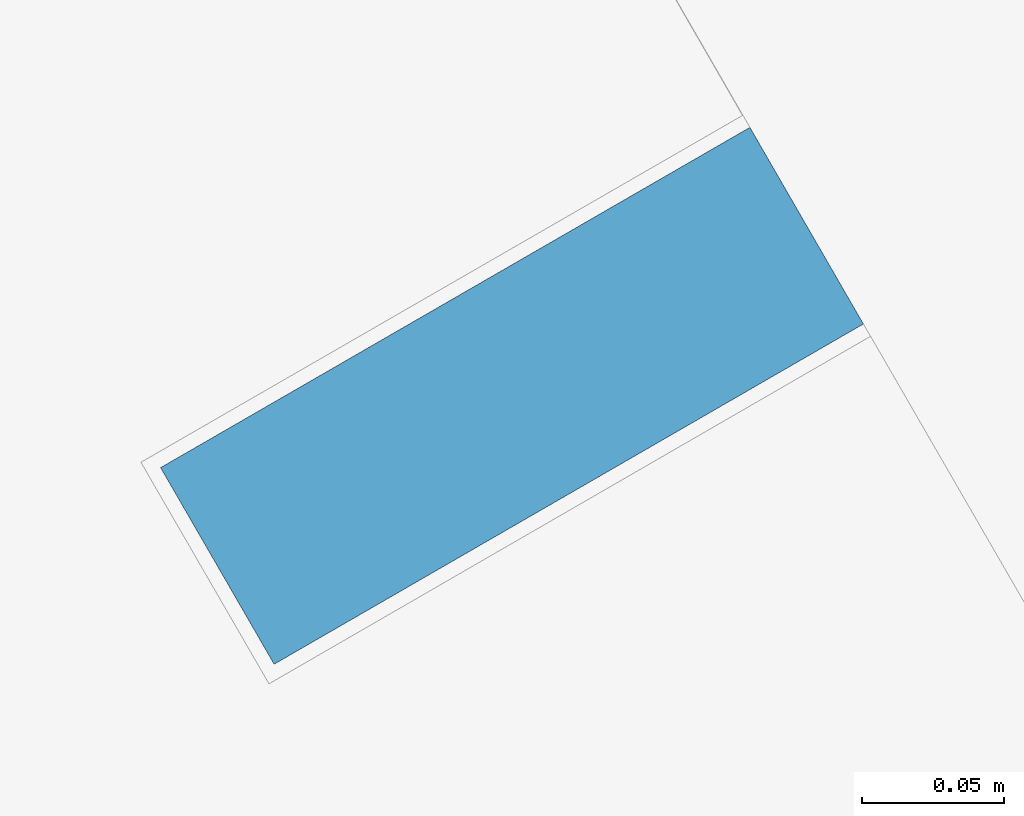
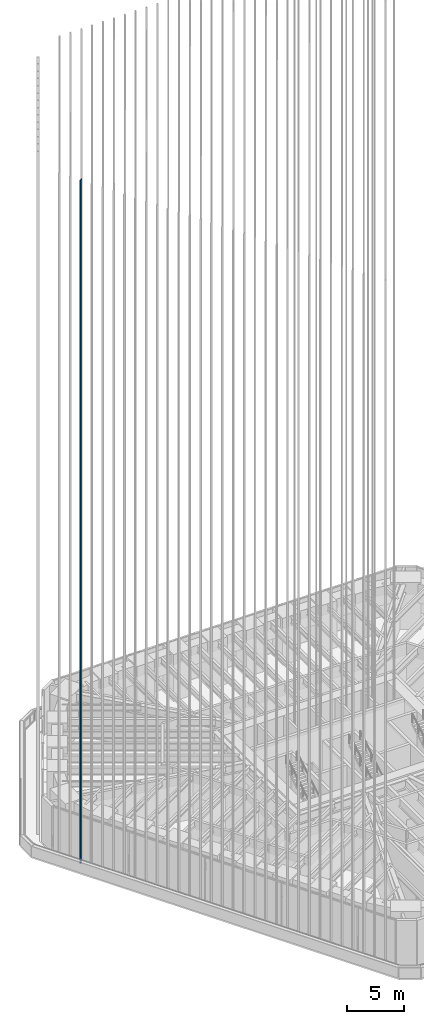
# One storey, part 64 of 228: 1 member, 1 element without a shape of its own.
"""IFC4 building model written with IfcOpenShell, lengths in metres."""

from ifc_helpers import new_model, si_unit, direction, frame, origin, origin_2d, place, context, subcontext, project, spatial, rectangle, extrude, material, material_profile, profile_set, type_object, element, aggregate, save


model = new_model("IFC4")

# Units and contexts
model_context = context("Model", 3, precision=1e-05, world=origin(), true_north=direction((0.0, 1.0)))
body_context = subcontext(model_context, "Body", "Model", "MODEL_VIEW")
ifc_project = project(units=[si_unit("LENGTHUNIT", "METRE"), si_unit("AREAUNIT", "SQUARE_METRE"), si_unit("VOLUMEUNIT", "CUBIC_METRE"), si_unit("PLANEANGLEUNIT", "RADIAN"), si_unit("MASSUNIT", "GRAM", prefix="KILO")], contexts=[model_context])

# Site, building, storey
site_placement = place(None, origin())
site = spatial("IfcSite", under=ifc_project, at=site_placement, CompositionType="ELEMENT")
building_placement = place(site_placement, origin())
building = spatial("IfcBuilding", under=site, at=building_placement, Name="Sandreach Pilgrim Tower", CompositionType="ELEMENT")
storey_placement = place(building_placement, frame((0.0, 0.0, 178.199951171875)))
storey = spatial("IfcBuildingStorey", under=building, at=storey_placement, Name="L44", CompositionType="ELEMENT", Elevation=178.199951171875)

# Curtain wall, member
ifc_material_1 = material(Name="Aluminium framed curtain wall", Category="aluminium")
curtain_wall_type = type_object("IfcCurtainWallType", Name="Upper hotel tower curtain wall", PredefinedType="NOTDEFINED", material=ifc_material_1)
curtain_wall_placement = place(storey_placement, origin())
curtain_wall = element("IfcCurtainWall", 1, at=curtain_wall_placement, inside=storey, type_object=curtain_wall_type, Name="CW-3 L44 SW", PredefinedType="NOTDEFINED")
ifc_material_2 = material(Name="Extruded terracotta on aluminium core", Category="masonry")
ifc_material_profile = material_profile(ifc_material_2, rectangle(XDim=0.080078125, YDim=0.239990234375, at=origin_2d()), Name="TBW 80X240")
ifc_profile_set = profile_set([ifc_material_profile], Name="Extruded terracotta on aluminium core")
member_type = type_object("IfcMemberType", Name="Terracotta baguette west", PredefinedType="USERDEFINED", material=ifc_profile_set)
member_placement = place(storey_placement, frame((-25.85205078125, 1.616943359375, 0.0), z_axis=(0.0, 0.0, 1.0), x_axis=(-0.5, 0.866025403784, 0.0)))
member = element("IfcMember", 2, at=member_placement, type_object=member_type, Name="Baguette Z3 SW29", ObjectType="BAGUETTE", PredefinedType="USERDEFINED", context=body_context, shape_type="SweptSolid", body=[
    extrude(rectangle(XDim=0.080078125, YDim=0.239990234375, at=origin_2d()), origin(), (0.0, 0.0, 1.0), 73.239990234375),
])
aggregate(curtain_wall, [member])

save(model, "model.ifc")
